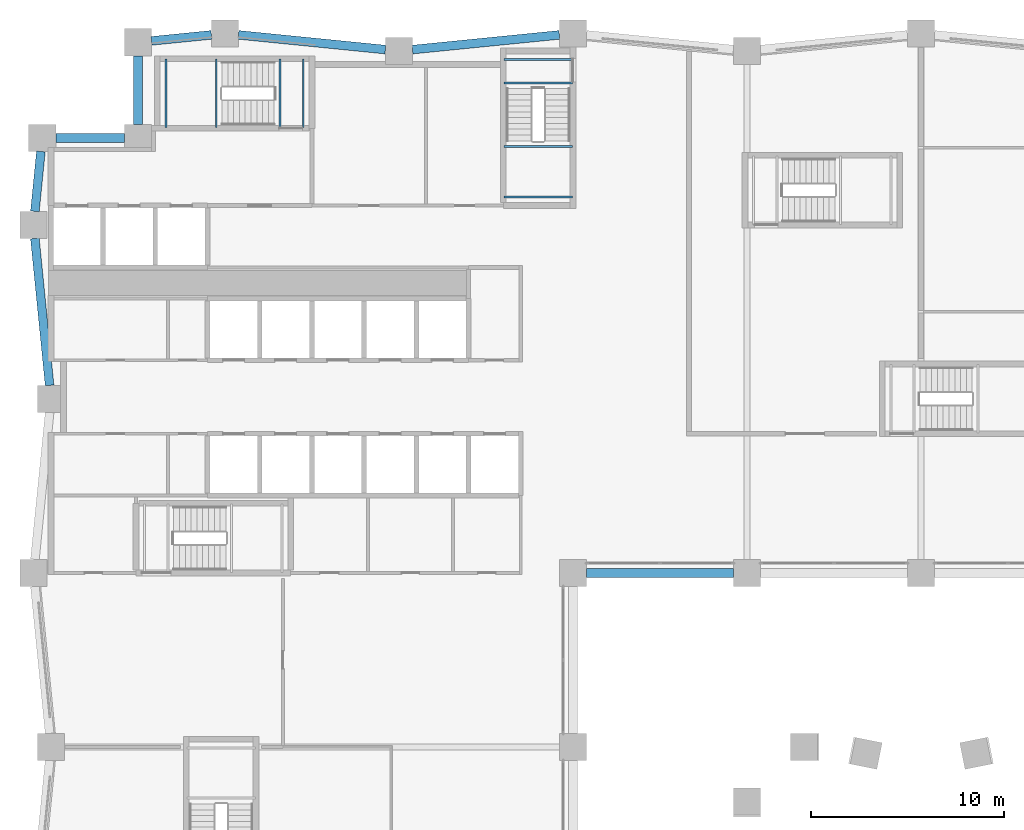
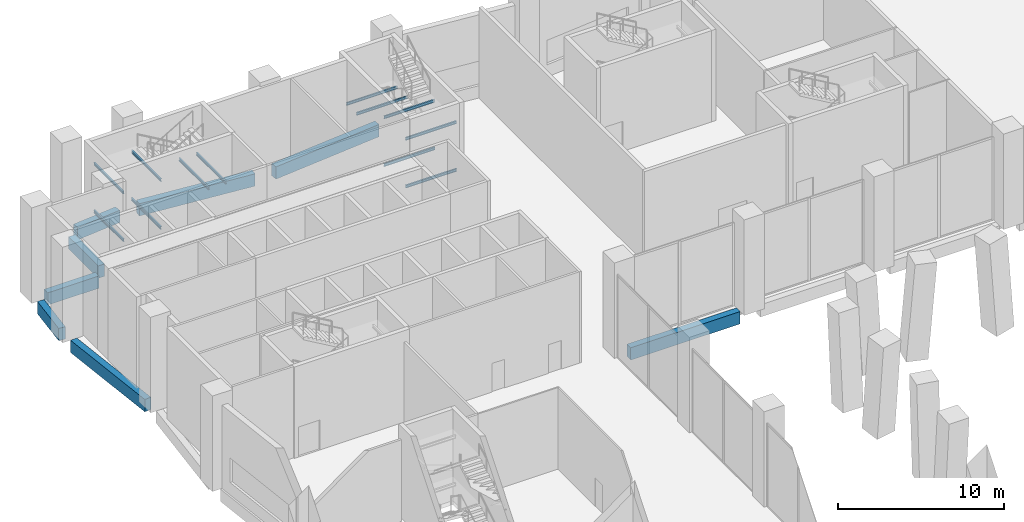
# One storey, part 5 of 18: 20 beams.
"""IFC4 building model written with IfcOpenShell, lengths in metres."""

from ifc_helpers import new_model, si_unit, direction, frame, origin, origin_2d, place, context, subcontext, project, spatial, rectangle, i_section, extrude, material, material_profile, profile_set, type_object, element, save


model = new_model("IFC4")

# Units and contexts
model_context = context("Model", 3, precision=1e-05, world=origin(), true_north=direction((0.0, 1.0)))
body_context = subcontext(model_context, "Body", "Model", "MODEL_VIEW")
ifc_project = project(units=[si_unit("LENGTHUNIT", "METRE"), si_unit("AREAUNIT", "SQUARE_METRE"), si_unit("VOLUMEUNIT", "CUBIC_METRE"), si_unit("PLANEANGLEUNIT", "RADIAN"), si_unit("MASSUNIT", "GRAM", prefix="KILO")], contexts=[model_context])

# Site, building, storey
site_placement = place(None, origin())
site = spatial("IfcSite", under=ifc_project, at=site_placement, CompositionType="ELEMENT")
building_placement = place(site_placement, origin())
building = spatial("IfcBuilding", under=site, at=building_placement, Name="Brondeck Convention Tower", CompositionType="ELEMENT")
storey_placement = place(building_placement, frame((0.0, 0.0, 7.5)))
storey = spatial("IfcBuildingStorey", under=building, at=storey_placement, Name="L01", CompositionType="ELEMENT", Elevation=7.5)

# Beams
ifc_material_1 = material(Name="Concrete C80/95", Category="concrete")
ifc_material_profile_1 = material_profile(ifc_material_1, rectangle(XDim=0.449951171875, YDim=0.89990234375, at=origin_2d()), Name="Edge beam 450x900 Concrete C80/95")
ifc_profile_set_1 = profile_set([ifc_material_profile_1], Name="Concrete C80/95")
beam_type_1 = type_object("IfcBeamType", Name="Edge beam 450x900 Concrete C80/95", PredefinedType="BEAM", material=ifc_profile_set_1)
beam_1_placement = place(storey_placement, frame((27.699951171875, 36.0, -0.449951171875), z_axis=(1.0, 0.0, 0.0), x_axis=(0.0, 1.0, 0.0)))
element("IfcBeam", 1, at=beam_1_placement, inside=storey, type_object=beam_type_1, Name="STR-SP-L01-009", PredefinedType="BEAM", context=body_context, shape_type="SweptSolid", body=[
    extrude(rectangle(XDim=0.449951171875, YDim=0.89990234375, at=origin_2d()), origin(), (0.0, 0.0, 1.0), 7.60009765625),
])
for number, where, z_axis, x_axis, name in (
    (2, (26.300048828125, 63.830078125, -0.449951171875), (-0.99503719021, -0.099503719021, 0.0), (0.099503719021, -0.99503719021, 0.0), "STR-SP-L01-025"),
    (3, (17.300048828125, 63.070068359375, -0.449951171875), (-0.99503719021, 0.099503719021, 0.0), (-0.099503719021, -0.99503719021, 0.0), "STR-SP-L01-026"),
):
    element("IfcBeam", number, at=place(storey_placement, frame(where, z_axis=z_axis, x_axis=x_axis)), inside=storey, type_object=beam_type_1, Name=name, PredefinedType="BEAM", context=body_context, shape_type="SweptSolid", body=[
        extrude(rectangle(XDim=0.449951171875, YDim=0.89990234375, at=origin_2d()), origin(), (0.0, 0.0, 1.0), 7.637939453125),
    ])
beam_2_placement = place(storey_placement, frame((8.300048828125, 63.830078125, -0.449951171875), z_axis=(-0.995035638374, -0.099519236158, 0.0), x_axis=(0.099519236158, -0.995035638374, 0.0)))
element("IfcBeam", 4, at=beam_2_placement, inside=storey, type_object=beam_type_1, Name="STR-SP-L01-027", PredefinedType="BEAM", context=body_context, shape_type="SweptSolid", body=[
    extrude(rectangle(XDim=0.449951171875, YDim=0.89990234375, at=origin_2d()), origin(), (0.0, 0.0, 1.0), 3.115478515625),
])
for number, where, z_axis, x_axis, name in (
    (5, (4.5, 62.75, -0.449951171875), (0.0, -1.0, 0.0), (1.0, 0.0, 0.0), "STR-SP-L01-028"),
    (6, (3.800048828125, 58.5, -0.449951171875), (-1.0, 0.0, 0.0), (0.0, -1.0, 0.0), "STR-SP-L01-029"),
):
    element("IfcBeam", number, at=place(storey_placement, frame(where, z_axis=z_axis, x_axis=x_axis)), inside=storey, type_object=beam_type_1, Name=name, PredefinedType="BEAM", context=body_context, shape_type="SweptSolid", body=[
        extrude(rectangle(XDim=0.449951171875, YDim=0.89990234375, at=origin_2d()), origin(), (0.0, 0.0, 1.0), 3.550048828125),
    ])
beam_3_placement = place(storey_placement, frame((-0.52001953125, 57.800048828125, -0.449951171875), z_axis=(-0.099519236158, -0.995035638374, 0.0), x_axis=(0.995035638374, -0.099519236158, 0.0)))
element("IfcBeam", 7, at=beam_3_placement, inside=storey, type_object=beam_type_1, Name="STR-SP-L01-030", PredefinedType="BEAM", context=body_context, shape_type="SweptSolid", body=[
    extrude(rectangle(XDim=0.449951171875, YDim=0.89990234375, at=origin_2d()), origin(), (0.0, 0.0, 1.0), 3.115478515625),
])
beam_4_placement = place(storey_placement, frame((-0.830078125, 53.300048828125, -0.449951171875), z_axis=(0.099503719021, -0.99503719021, 0.0), x_axis=(0.99503719021, 0.099503719021, 0.0)))
element("IfcBeam", 8, at=beam_4_placement, inside=storey, type_object=beam_type_1, Name="STR-SP-L01-031", PredefinedType="BEAM", context=body_context, shape_type="SweptSolid", body=[
    extrude(rectangle(XDim=0.449951171875, YDim=0.89990234375, at=origin_2d()), origin(), (0.0, 0.0, 1.0), 7.637939453125),
])
ifc_material_2 = material(Name="Steel S355", Category="steel")
ifc_material_profile_2 = material_profile(ifc_material_2, i_section(OverallWidth=0.10009765625, OverallDepth=0.199951171875, WebThickness=0.005615234375, FlangeThickness=0.008544921875, FilletRadius=0.011962890625, at=origin_2d()), Name="IPE200")
ifc_profile_set_2 = profile_set([ifc_material_profile_2], Name="Steel S355")
beam_type_2 = type_object("IfcBeamType", Name="Landing ledger beam IPE 200", PredefinedType="BEAM", material=ifc_profile_set_2)
for number, where, z_axis, x_axis, name in (
    (9, (23.429931640625, 58.050048828125, 1.39990234375), (1.0, 0.0, 0.0), (0.0, 1.0, 0.0), "L01 ST-2 landing beam"),
    (10, (23.429931640625, 55.449951171875, 1.39990234375), (1.0, 0.0, 0.0), (0.0, 1.0, 0.0), "L01 ST-2 landing beam"),
    (11, (23.429931640625, 62.550048828125, 3.14990234375), (1.0, 0.0, 0.0), (0.0, 1.0, 0.0), "L01 ST-2 landing beam"),
    (12, (23.429931640625, 61.35009765625, 3.14990234375), (1.0, 0.0, 0.0), (0.0, 1.0, 0.0), "L01 ST-2 landing beam"),
    (13, (23.429931640625, 58.050048828125, 4.89990234375), (1.0, 0.0, 0.0), (0.0, 1.0, 0.0), "L01 ST-2 landing beam"),
    (14, (23.429931640625, 55.449951171875, 4.89990234375), (1.0, 0.0, 0.0), (0.0, 1.0, 0.0), "L01 ST-2 landing beam"),
    (15, (8.550048828125, 62.570068359375, 1.39990234375), (0.0, -1.0, 0.0), (1.0, 0.0, 0.0), "L01 ST-3 landing beam"),
    (16, (5.949951171875, 62.570068359375, 1.39990234375), (0.0, -1.0, 0.0), (1.0, 0.0, 0.0), "L01 ST-3 landing beam"),
    (17, (13.050048828125, 62.570068359375, 3.14990234375), (0.0, -1.0, 0.0), (1.0, 0.0, 0.0), "L01 ST-3 landing beam"),
    (18, (11.85009765625, 62.570068359375, 3.14990234375), (0.0, -1.0, 0.0), (1.0, 0.0, 0.0), "L01 ST-3 landing beam"),
    (19, (8.550048828125, 62.570068359375, 4.89990234375), (0.0, -1.0, 0.0), (1.0, 0.0, 0.0), "L01 ST-3 landing beam"),
    (20, (5.949951171875, 62.570068359375, 4.89990234375), (0.0, -1.0, 0.0), (1.0, 0.0, 0.0), "L01 ST-3 landing beam"),
):
    element("IfcBeam", number, at=place(storey_placement, frame(where, z_axis=z_axis, x_axis=x_axis)), inside=storey, type_object=beam_type_2, Name=name, PredefinedType="BEAM", context=body_context, shape_type="SweptSolid", body=[
        extrude(i_section(OverallWidth=0.10009765625, OverallDepth=0.199951171875, WebThickness=0.005615234375, FlangeThickness=0.008544921875, FilletRadius=0.011962890625, at=origin_2d()), origin(), (0.0, 0.0, 1.0), 3.5400390625),
    ])

save(model, "model.ifc")
